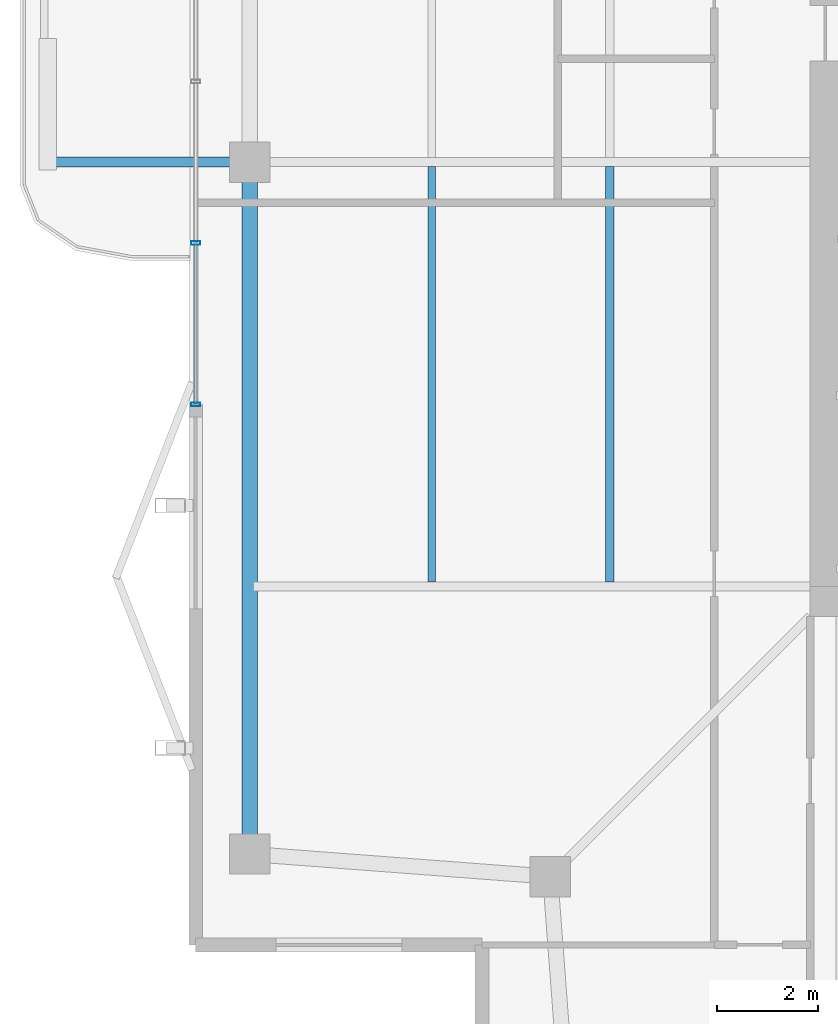
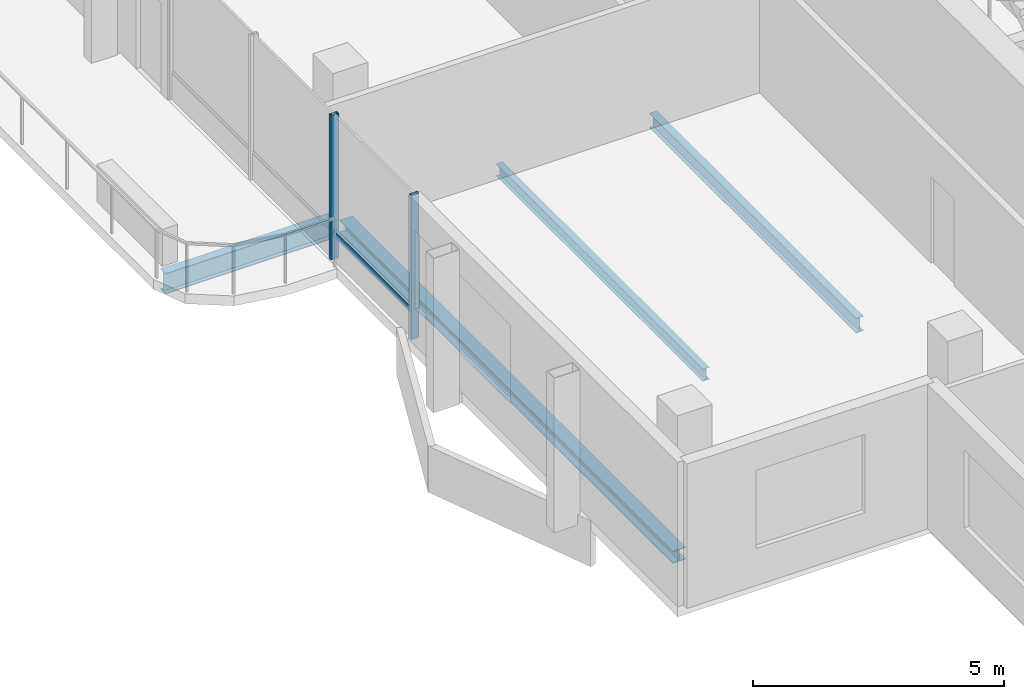
# One storey, part 6 of 22: 4 beams, 3 members, 1 element without a shape of its own.
"""IFC4 building model written with IfcOpenShell, lengths in metres."""

from ifc_helpers import new_model, si_unit, direction, frame, origin, origin_2d, place, context, subcontext, project, spatial, hollow_rectangle, i_section, extrude, material, layer, layer_set, material_profile, profile_set, type_object, element, aggregate, save


model = new_model("IFC4")

# Units and contexts
model_context = context("Model", 3, precision=1e-05, world=origin(), true_north=direction((0.0, 1.0)))
body_context = subcontext(model_context, "Body", "Model", "MODEL_VIEW")
ifc_project = project(units=[si_unit("LENGTHUNIT", "METRE"), si_unit("AREAUNIT", "SQUARE_METRE"), si_unit("VOLUMEUNIT", "CUBIC_METRE"), si_unit("PLANEANGLEUNIT", "RADIAN"), si_unit("MASSUNIT", "GRAM", prefix="KILO")], contexts=[model_context])

# Site, building, storey
site_placement = place(None, origin())
site = spatial("IfcSite", under=ifc_project, at=site_placement, CompositionType="ELEMENT")
building_placement = place(site_placement, origin())
building = spatial("IfcBuilding", under=site, at=building_placement, Name="Belovzor Exchange Tower", CompositionType="ELEMENT")
storey_placement = place(building_placement, frame((0.0, 0.0, 348.0)))
storey = spatial("IfcBuildingStorey", under=building, at=storey_placement, Name="L87", CompositionType="ELEMENT", Elevation=348.0)

# Beams
ifc_material_1 = material(Name="Steel S355", Category="steel")
ifc_material_profile_1 = material_profile(ifc_material_1, i_section(OverallWidth=0.199951171875, OverallDepth=0.5, WebThickness=0.01025390625, FlangeThickness=0.01611328125, at=origin_2d()))
ifc_profile_set_1 = profile_set([ifc_material_profile_1], Name="Steel S355")
beam_type_1 = type_object("IfcBeamType", Name="Planted Balcony Cantilever Beam IPE 500", PredefinedType="BEAM", material=ifc_profile_set_1)
beam_1_placement = place(storey_placement, frame((8.47998046875, 28.800048828125, -0.489990234375), z_axis=(-1.0, 0.0, 0.0), x_axis=(0.0, -1.0, 0.0)))
element("IfcBeam", 1, at=beam_1_placement, inside=storey, type_object=beam_type_1, Name="BC-500 Planted Balcony Cantilever Beam IPE 500", PredefinedType="BEAM", context=body_context, shape_type="SweptSolid", body=[
    extrude(i_section(OverallWidth=0.199951171875, OverallDepth=0.5, WebThickness=0.01025390625, FlangeThickness=0.01611328125, at=origin_2d()), origin(), (0.0, 0.0, 1.0), 3.85009765625),
])
ifc_material_2 = material(Name="Steel S355", Category="steel")
ifc_material_profile_2 = material_profile(ifc_material_2, i_section(OverallWidth=0.169921875, OverallDepth=0.360107421875, WebThickness=0.008056640625, FlangeThickness=0.0126953125, at=origin_2d()))
ifc_profile_set_2 = profile_set([ifc_material_profile_2], Name="Steel S355")
beam_type_2 = type_object("IfcBeamType", Name="Secondary Infill Floor Joist IPE 360", PredefinedType="BEAM", material=ifc_profile_set_2)
beam_2_placement = place(storey_placement, frame((15.8310546875, 20.489990234375, -0.419921875), z_axis=(0.0, 1.0, 0.0), x_axis=(-1.0, 0.0, 0.0)))
element("IfcBeam", 2, at=beam_2_placement, inside=storey, type_object=beam_type_2, Name="FJ-360 Secondary Infill Floor Joist IPE 360", PredefinedType="BEAM", context=body_context, shape_type="SweptSolid", body=[
    extrude(i_section(OverallWidth=0.169921875, OverallDepth=0.360107421875, WebThickness=0.008056640625, FlangeThickness=0.0126953125, at=origin_2d()), origin(), (0.0, 0.0, 1.0), 8.219970703125),
])
ifc_material_3 = material(Name="Steel S355", Category="steel")
ifc_material_profile_3 = material_profile(ifc_material_3, i_section(OverallWidth=0.14990234375, OverallDepth=0.300048828125, WebThickness=0.007080078125, FlangeThickness=0.0107421875, at=origin_2d()))
ifc_profile_set_3 = profile_set([ifc_material_profile_3], Name="Steel S355")
beam_type_3 = type_object("IfcBeamType", Name="Secondary Trim Floor Joist IPE 300", PredefinedType="BEAM", material=ifc_profile_set_3)
beam_3_placement = place(storey_placement, frame((12.302978515625, 20.489990234375, -0.389892578125), z_axis=(0.0, 1.0, 0.0), x_axis=(-1.0, 0.0, 0.0)))
element("IfcBeam", 3, at=beam_3_placement, inside=storey, type_object=beam_type_3, Name="FJ-300 Secondary Trim Floor Joist IPE 300", PredefinedType="BEAM", context=body_context, shape_type="SweptSolid", body=[
    extrude(i_section(OverallWidth=0.14990234375, OverallDepth=0.300048828125, WebThickness=0.007080078125, FlangeThickness=0.0107421875, at=origin_2d()), origin(), (0.0, 0.0, 1.0), 8.219970703125),
])

# Curtain wall, members
ifc_material_4 = material(Name="Anodised Aluminium Framing", Category="aluminium")
ifc_layer = layer(ifc_material_4, 0.179931640625)
ifc_layer_set = layer_set([ifc_layer], Name="Anodised Aluminium Framing")
curtain_wall_type = type_object("IfcCurtainWallType", Name="Recessed Loggia Low-Iron Triple-Glazed Curtain Wall", PredefinedType="NOTDEFINED", material=ifc_layer_set)
curtain_wall_placement = place(storey_placement, origin())
curtain_wall = element("IfcCurtainWall", 4, at=curtain_wall_placement, inside=storey, type_object=curtain_wall_type, Name="CW3 Recessed Loggia Low-Iron Triple-Glazed Curtain Wall L87", PredefinedType="NOTDEFINED")
ifc_material_5 = material(Name="Steel S355", Category="steel")
ifc_material_profile_4 = material_profile(ifc_material_5, hollow_rectangle(XDim=0.074951171875, YDim=0.179931640625, WallThickness=0.0048828125, at=origin_2d()))
ifc_profile_set_4 = profile_set([ifc_material_profile_4], Name="Steel S355")
member_type_1 = type_object("IfcMemberType", Name="Thermally Broken Curtain Wall Mullion 180x75", PredefinedType="MULLION", material=ifc_profile_set_4)
member_1_placement = place(storey_placement, frame((7.6298828125, 24.0, 0.0), z_axis=(0.0, 0.0, 1.0), x_axis=(0.0, 1.0, 0.0)))
member_1 = element("IfcMember", 5, at=member_1_placement, type_object=member_type_1, Name="CW-M180 Curtain Wall Mullion 1", PredefinedType="MULLION", context=body_context, shape_type="SweptSolid", body=[
    extrude(hollow_rectangle(XDim=0.074951171875, YDim=0.179931640625, WallThickness=0.0048828125, at=origin_2d()), origin(), (0.0, 0.0, 1.0), 3.510009765625),
])
member_2_placement = place(storey_placement, frame((7.6298828125, 27.199951171875, 0.0), z_axis=(0.0, 0.0, 1.0), x_axis=(0.0, 1.0, 0.0)))
member_2 = element("IfcMember", 6, at=member_2_placement, type_object=member_type_1, Name="CW-M180 Curtain Wall Mullion 2", PredefinedType="MULLION", context=body_context, shape_type="SweptSolid", body=[
    extrude(hollow_rectangle(XDim=0.074951171875, YDim=0.179931640625, WallThickness=0.0048828125, at=origin_2d()), origin(), (0.0, 0.0, 1.0), 3.510009765625),
])
ifc_material_6 = material(Name="Steel S355", Category="steel")
ifc_material_profile_5 = material_profile(ifc_material_6, hollow_rectangle(XDim=0.06005859375, YDim=0.14990234375, WallThickness=0.00390625, at=origin_2d()))
ifc_profile_set_5 = profile_set([ifc_material_profile_5], Name="Steel S355")
member_type_2 = type_object("IfcMemberType", Name="Thermally Broken Curtain Wall Transom 150x60", PredefinedType="USERDEFINED", material=ifc_profile_set_5)
member_3_placement = place(storey_placement, frame((7.6298828125, 24.008056640625, 0.632080078125), z_axis=(0.0, 1.0, 0.0), x_axis=(-1.0, 0.0, 0.0)))
member_3 = element("IfcMember", 7, at=member_3_placement, type_object=member_type_2, Name="CW-T150 Curtain Wall Transom 1", ObjectType="TRANSOM", PredefinedType="USERDEFINED", context=body_context, shape_type="SweptSolid", body=[
    extrude(hollow_rectangle(XDim=0.06005859375, YDim=0.14990234375, WallThickness=0.00390625, at=origin_2d()), origin(), (0.0, 0.0, 1.0), 3.183837890625),
])
aggregate(curtain_wall, [member_1, member_2, member_3])

# Beam
ifc_material_7 = material(Name="Steel S355", Category="steel")
ifc_material_profile_6 = material_profile(ifc_material_7, i_section(OverallWidth=0.300048828125, OverallDepth=0.300048828125, WebThickness=0.008544921875, FlangeThickness=0.013916015625, at=origin_2d()))
ifc_profile_set_6 = profile_set([ifc_material_profile_6], Name="Steel S355")
beam_type_4 = type_object("IfcBeamType", Name="Zone 6 Primary Girder HEA 300", PredefinedType="BEAM", material=ifc_profile_set_6)
beam_4_placement = place(storey_placement, frame((8.699951171875, 28.580078125, -0.389892578125), z_axis=(0.0, -1.0, 0.0), x_axis=(1.0, 0.0, 0.0)))
element("IfcBeam", 8, at=beam_4_placement, inside=storey, type_object=beam_type_4, Name="FG-Z6 Zone 6 Primary Girder HEA 300", PredefinedType="BEAM", context=body_context, shape_type="SweptSolid", body=[
    extrude(i_section(OverallWidth=0.300048828125, OverallDepth=0.300048828125, WebThickness=0.008544921875, FlangeThickness=0.013916015625, at=origin_2d()), origin(), (0.0, 0.0, 1.0), 13.260009765625),
])

save(model, "model.ifc")
